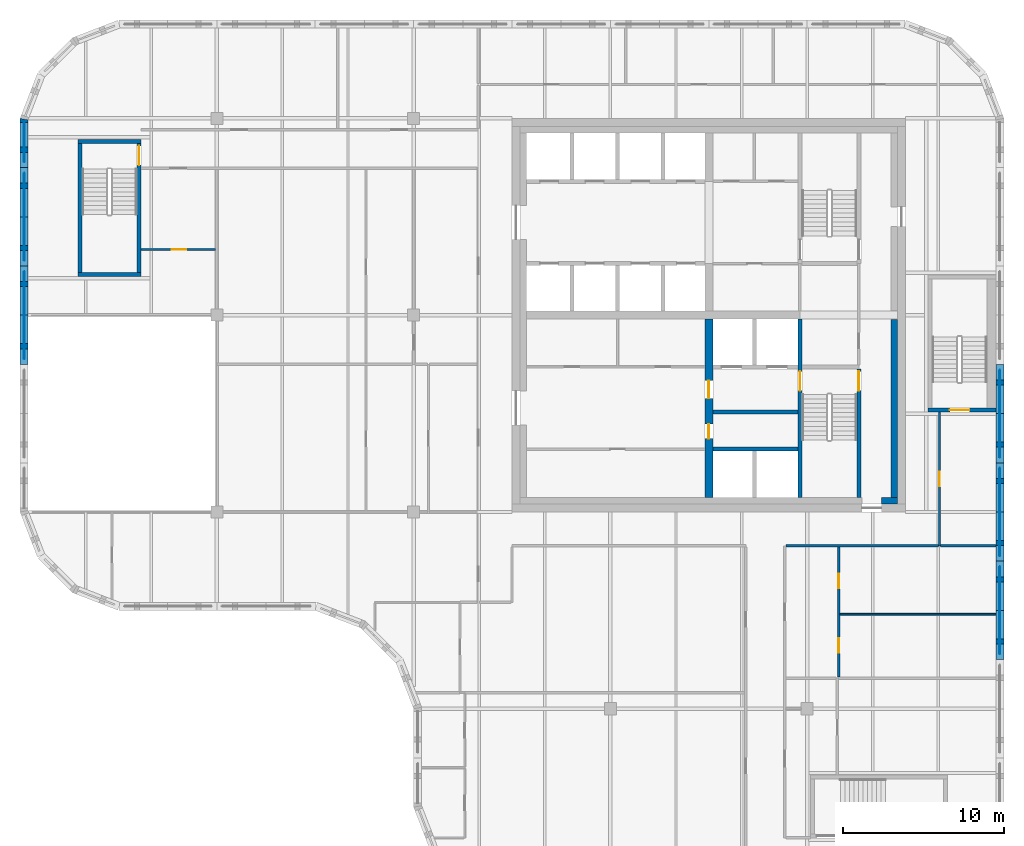
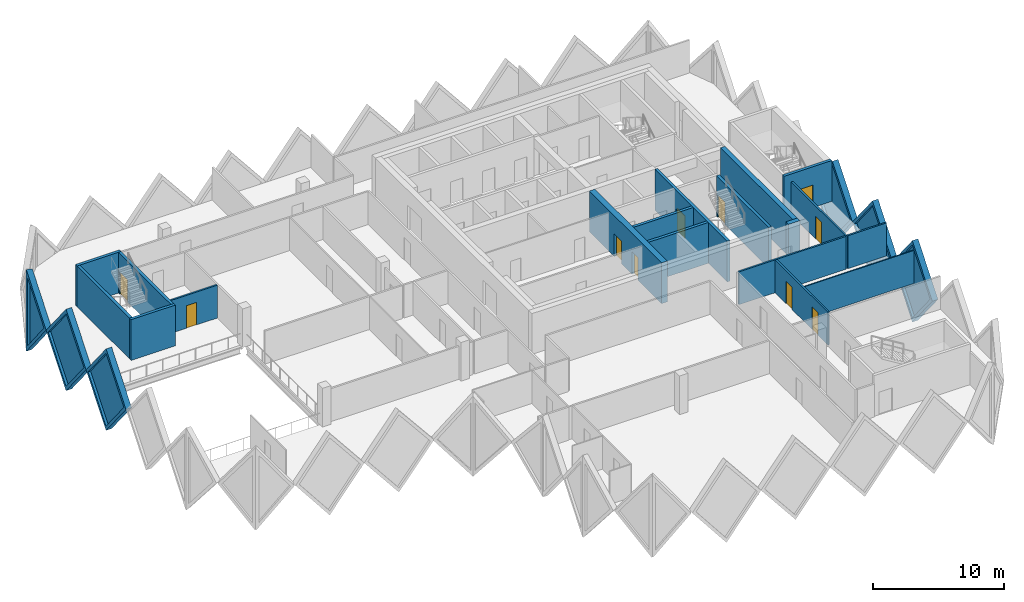
# One storey, part 6 of 11: 24 walls, 10 doors, 6 plates, 16 openings.
"""IFC4 building model written with IfcOpenShell, lengths in metres."""

from ifc_helpers import new_model, si_unit, direction, frame, frame_2d, origin, place, context, subcontext, project, spatial, polyline, rectangle, outline, extrude, faceted_brep, source, transform, mapped, material, layer, layer_set, type_object, element, fill, save


model = new_model("IFC4")

# Units and contexts
model_context = context("Model", 3, precision=1e-05, world=origin(), true_north=direction((0.0, 1.0)))
body_context = subcontext(model_context, "Body", "Model", "MODEL_VIEW")
ifc_project = project(units=[si_unit("LENGTHUNIT", "METRE"), si_unit("AREAUNIT", "SQUARE_METRE"), si_unit("VOLUMEUNIT", "CUBIC_METRE"), si_unit("PLANEANGLEUNIT", "RADIAN"), si_unit("MASSUNIT", "GRAM", prefix="KILO")], contexts=[model_context])

# Site, building, storey
site_placement = place(None, origin())
site = spatial("IfcSite", under=ifc_project, at=site_placement, CompositionType="ELEMENT")
building_placement = place(site_placement, origin())
building = spatial("IfcBuilding", under=site, at=building_placement, Name="Tessera Gate Towers", CompositionType="ELEMENT")
storey_placement = place(building_placement, frame((0.0, 0.0, 201.699951171875)))
storey = spatial("IfcBuildingStorey", under=building, at=storey_placement, Name="L50", CompositionType="ELEMENT", Elevation=201.699951171875)

# Wall, opening, door
ifc_material_1 = material(Name="Concrete C40/50", Category="concrete")
ifc_layer_1 = layer(ifc_material_1, 0.25)
ifc_layer_set_1 = layer_set([ifc_layer_1], Name="CORE ENCLOSURE WALL 250")
wall_type_1 = type_object("IfcWallType", Name="CORE ENCLOSURE WALL 250", PredefinedType="SOLIDWALL", material=ifc_layer_set_1)
wall_1_placement = place(storey_placement, frame((48.35009765625, 36.35009765625, 0.0), z_axis=(0.0, 0.0, 1.0), x_axis=(0.0, -1.0, 0.0)))
wall_1 = element("IfcWall", 1, at=wall_1_placement, inside=storey, type_object=wall_type_1, Name="L50 shaft and stair enclosure wall", PredefinedType="SOLIDWALL", context=body_context, shape_type="SweptSolid", body=[
    extrude(rectangle(XDim=11.050048828125, YDim=0.25, at=frame_2d((5.52490234375, 0.0))), origin(), (0.0, 0.0, 1.0), 3.800048828125),
])
shared_shape_1 = source(origin(), body_context, "Body", "SweptSolid", [
    extrude(rectangle(XDim=1.199951171875, YDim=2.10009765625, at=frame_2d((0.60009765625, 1.050048828125))), frame((0.0, 0.135009765625, 0.0), z_axis=(0.0, -1.0, 0.0), x_axis=(1.0, 0.0, 0.0)), (0.0, 0.0, 1.0), 0.27001953125),
])
opening_1_placement = place(wall_1_placement, frame((3.22509765625, 0.0, 0.0)))
opening_1 = element("IfcOpeningElement", 2, at=opening_1_placement, cuts=wall_1, Name="Opening SD-ST1-1", PredefinedType="OPENING", context=body_context, shape_type="MappedRepresentation", body=[
    mapped(shared_shape_1, transform((0.0, 0.0, 0.0), scale=1.0)),
])
ifc_material_2 = material(Name="Hollow steel fire door", Category="steel")
door_type_1 = type_object("IfcDoorType", Name="CORE DOOR SD 1200x2100", OperationType="NOTDEFINED", PredefinedType="DOOR", material=ifc_material_2)
shared_shape_2 = source(origin(), body_context, "Body", "SweptSolid", [
    extrude(rectangle(XDim=1.199951171875, YDim=2.10009765625, at=frame_2d((0.60009765625, 1.050048828125))), frame((0.0, 0.02490234375, 0.0), z_axis=(0.0, -1.0, 0.0), x_axis=(1.0, 0.0, 0.0)), (0.0, 0.0, 1.0), 0.050048828125),
])
door_1_placement = place(opening_1_placement, origin())
door_1 = element("IfcDoor", 3, at=door_1_placement, inside=storey, type_object=door_type_1, Name="Stair door", OperationType="SINGLE_SWING_LEFT", OverallHeight=2.10009765625, OverallWidth=1.199951171875, PredefinedType="DOOR", context=body_context, shape_type="MappedRepresentation", body=[
    mapped(shared_shape_2, transform((0.0, 0.0, 0.0), scale=1.0)),
])
fill(opening_1, door_1)

wall_2_placement = place(storey_placement, frame((52.0, 25.300048828125, 0.0), z_axis=(0.0, 0.0, 1.0), x_axis=(0.0, 1.0, 0.0)))
wall_2 = element("IfcWall", 4, at=wall_2_placement, inside=storey, type_object=wall_type_1, Name="L50 shaft and stair enclosure wall", PredefinedType="SOLIDWALL", context=body_context, shape_type="SweptSolid", body=[
    extrude(rectangle(XDim=7.974853515625, YDim=0.25, at=frame_2d((3.9873046875, 0.0))), origin(), (0.0, 0.0, 1.0), 3.800048828125),
])
opening_2_placement = place(wall_2_placement, frame((6.625, 0.0, 0.0)))
opening_2 = element("IfcOpeningElement", 5, at=opening_2_placement, cuts=wall_2, Name="Opening SD-ST1-2", PredefinedType="OPENING", context=body_context, shape_type="MappedRepresentation", body=[
    mapped(shared_shape_1, transform((0.0, 0.0, 0.0), scale=1.0)),
])
door_2_placement = place(opening_2_placement, origin())
door_2 = element("IfcDoor", 6, at=door_2_placement, inside=storey, type_object=door_type_1, Name="Stair door", OperationType="SINGLE_SWING_RIGHT", OverallHeight=2.10009765625, OverallWidth=1.199951171875, PredefinedType="DOOR", context=body_context, shape_type="MappedRepresentation", body=[
    mapped(shared_shape_2, transform((0.0, 0.0, 0.0), scale=1.0)),
])
fill(opening_2, door_2)

# Walls
for number, where, z_axis, x_axis, name in (
    (7, (42.949951171875, 28.300048828125, 0.0), (0.0, 0.0, 1.0), (1.0, 0.0, 0.0), "L50 shaft and stair enclosure wall"),
    (8, (42.949951171875, 30.60009765625, 0.0), (0.0, 0.0, 1.0), (1.0, 0.0, 0.0), "L50 shaft and stair enclosure wall"),
):
    element("IfcWall", number, at=place(storey_placement, frame(where, z_axis=z_axis, x_axis=x_axis)), inside=storey, type_object=wall_type_1, Name=name, PredefinedType="SOLIDWALL", context=body_context, shape_type="SweptSolid", body=[
        extrude(rectangle(XDim=5.275146484375, YDim=0.25, at=frame_2d((2.6376953125, 0.0))), origin(), (0.0, 0.0, 1.0), 3.800048828125),
    ])
wall_3_placement = place(storey_placement, frame((7.5, 39.125, 0.0), z_axis=(0.0, 0.0, 1.0), x_axis=(-1.0, 0.0, 0.0)))
element("IfcWall", 9, at=wall_3_placement, inside=storey, type_object=wall_type_1, Name="L50 ST3 enclosure wall", PredefinedType="SOLIDWALL", context=body_context, shape_type="SweptSolid", body=[
    extrude(rectangle(XDim=3.89990234375, YDim=0.25, at=frame_2d((1.949951171875, 0.0))), origin(), (0.0, 0.0, 1.0), 3.800048828125),
])
wall_4_placement = place(storey_placement, frame((3.72509765625, 39.25, 0.0), z_axis=(0.0, 0.0, 1.0), x_axis=(0.0, 1.0, 0.0)))
element("IfcWall", 10, at=wall_4_placement, inside=storey, type_object=wall_type_1, Name="L50 ST3 enclosure wall", PredefinedType="SOLIDWALL", context=body_context, shape_type="SweptSolid", body=[
    extrude(rectangle(XDim=8.0, YDim=0.25, at=frame_2d((4.0, 0.0))), origin(), (0.0, 0.0, 1.0), 3.800048828125),
])
wall_5_placement = place(storey_placement, frame((3.60009765625, 47.375, 0.0), z_axis=(0.0, 0.0, 1.0), x_axis=(1.0, 0.0, 0.0)))
element("IfcWall", 11, at=wall_5_placement, inside=storey, type_object=wall_type_1, Name="L50 ST3 enclosure wall", PredefinedType="SOLIDWALL", context=body_context, shape_type="SweptSolid", body=[
    extrude(rectangle(XDim=3.89990234375, YDim=0.25, at=frame_2d((1.949951171875, 0.0))), origin(), (0.0, 0.0, 1.0), 3.800048828125),
])

# Wall, opening, door
wall_6_placement = place(storey_placement, frame((7.375, 47.25, 0.0), z_axis=(0.0, 0.0, 1.0), x_axis=(0.0, -1.0, 0.0)))
wall_6 = element("IfcWall", 12, at=wall_6_placement, inside=storey, type_object=wall_type_1, Name="L50 ST3 enclosure wall", PredefinedType="SOLIDWALL", context=body_context, shape_type="SweptSolid", body=[
    extrude(rectangle(XDim=8.0, YDim=0.25, at=frame_2d((4.0, 0.0))), origin(), (0.0, 0.0, 1.0), 3.800048828125),
])
opening_3_placement = place(wall_6_placement, frame((0.14990234375, 0.0, 0.0)))
opening_3 = element("IfcOpeningElement", 13, at=opening_3_placement, cuts=wall_6, Name="Opening SD-ST3-1", PredefinedType="OPENING", context=body_context, shape_type="MappedRepresentation", body=[
    mapped(shared_shape_1, transform((0.0, 0.0, 0.0), scale=1.0)),
])
door_3_placement = place(opening_3_placement, origin())
door_3 = element("IfcDoor", 14, at=door_3_placement, inside=storey, type_object=door_type_1, Name="Stair door", OperationType="SINGLE_SWING_LEFT", OverallHeight=2.10009765625, OverallWidth=1.199951171875, PredefinedType="DOOR", context=body_context, shape_type="MappedRepresentation", body=[
    mapped(shared_shape_2, transform((0.0, 0.0, 0.0), scale=1.0)),
])
fill(opening_3, door_3)

wall_7_placement = place(storey_placement, frame((60.5, 30.72509765625, 0.0), z_axis=(0.0, 0.0, 1.0), x_axis=(-1.0, 0.0, 0.0)))
wall_7 = element("IfcWall", 15, at=wall_7_placement, inside=storey, type_object=wall_type_1, Name="L50 ST5 enclosure wall", PredefinedType="SOLIDWALL", context=body_context, shape_type="SweptSolid", body=[
    extrude(rectangle(XDim=4.199951171875, YDim=0.25, at=frame_2d((2.10009765625, 0.0))), origin(), (0.0, 0.0, 1.0), 3.800048828125),
])
opening_4_placement = place(wall_7_placement, frame((1.64990234375, 0.0, 0.0)))
opening_4 = element("IfcOpeningElement", 16, at=opening_4_placement, cuts=wall_7, Name="Opening SD-ST5-1", PredefinedType="OPENING", context=body_context, shape_type="MappedRepresentation", body=[
    mapped(shared_shape_1, transform((0.0, 0.0, 0.0), scale=1.0)),
])
door_4_placement = place(opening_4_placement, origin())
door_4 = element("IfcDoor", 17, at=door_4_placement, inside=storey, type_object=door_type_1, Name="Stair door", OperationType="SINGLE_SWING_RIGHT", OverallHeight=2.10009765625, OverallWidth=1.199951171875, PredefinedType="DOOR", context=body_context, shape_type="MappedRepresentation", body=[
    mapped(shared_shape_2, transform((0.0, 0.0, 0.0), scale=1.0)),
])
fill(opening_4, door_4)

# Wall, openings, doors
ifc_material_3 = material(Name="Concrete C50/60", Category="concrete")
ifc_layer_2 = layer(ifc_material_3, 0.5)
ifc_layer_set_2 = layer_set([ifc_layer_2], Name="CORE SPINE WALL 500 C50/60")
wall_type_2 = type_object("IfcWallType", Name="CORE SPINE WALL 500 C50/60", PredefinedType="SHEAR", material=ifc_layer_set_2)
wall_8_placement = place(storey_placement, frame((42.699951171875, 36.35009765625, 0.0), z_axis=(0.0, 0.0, 1.0), x_axis=(0.0, -1.0, 0.0)))
wall_8 = element("IfcWall", 18, at=wall_8_placement, inside=storey, type_object=wall_type_2, Name="Core wall spine L50", PredefinedType="SHEAR", context=body_context, shape_type="SweptSolid", body=[
    extrude(rectangle(XDim=11.050048828125, YDim=0.5, at=frame_2d((5.52490234375, 0.0))), origin(), (0.0, 0.0, 1.0), 3.800048828125),
])
shared_shape_3 = source(origin(), body_context, "Body", "SweptSolid", [
    extrude(rectangle(XDim=0.89990234375, YDim=2.10009765625, at=frame_2d((0.449951171875, 1.050048828125))), frame((0.0, 0.260009765625, 0.0), z_axis=(0.0, -1.0, 0.0), x_axis=(1.0, 0.0, 0.0)), (0.0, 0.0, 1.0), 0.52001953125),
])
opening_5_placement = place(wall_8_placement, frame((6.5, 0.0, 0.0)))
opening_5 = element("IfcOpeningElement", 19, at=opening_5_placement, cuts=wall_8, Name="Opening RD-T1-31-05", PredefinedType="OPENING", context=body_context, shape_type="MappedRepresentation", body=[
    mapped(shared_shape_3, transform((0.0, 0.0, 0.0), scale=1.0)),
])
shared_shape_4 = source(origin(), body_context, "Body", "SweptSolid", [
    extrude(rectangle(XDim=1.10009765625, YDim=2.10009765625, at=frame_2d((0.550048828125, 1.050048828125))), frame((0.0, 0.260009765625, 0.0), z_axis=(0.0, -1.0, 0.0), x_axis=(1.0, 0.0, 0.0)), (0.0, 0.0, 1.0), 0.52001953125),
])
opening_6_placement = place(wall_8_placement, frame((3.800048828125, 0.0, 0.0)))
opening_6 = element("IfcOpeningElement", 20, at=opening_6_placement, cuts=wall_8, Name="Opening FD-T1-31-06", PredefinedType="OPENING", context=body_context, shape_type="MappedRepresentation", body=[
    mapped(shared_shape_4, transform((0.0, 0.0, 0.0), scale=1.0)),
])
ifc_material_4 = material(Name="Hollow steel fire door", Category="steel")
door_type_2 = type_object("IfcDoorType", Name="CORE DOOR RD 900x2100", OperationType="NOTDEFINED", PredefinedType="DOOR", material=ifc_material_4)
shared_shape_5 = source(origin(), body_context, "Body", "SweptSolid", [
    extrude(rectangle(XDim=0.89990234375, YDim=2.10009765625, at=frame_2d((0.449951171875, 1.050048828125))), frame((0.0, 0.02490234375, 0.0), z_axis=(0.0, -1.0, 0.0), x_axis=(1.0, 0.0, 0.0)), (0.0, 0.0, 1.0), 0.050048828125),
])
door_5_placement = place(opening_5_placement, origin())
door_5 = element("IfcDoor", 21, at=door_5_placement, inside=storey, type_object=door_type_2, Name="Core room door", OperationType="SINGLE_SWING_RIGHT", OverallHeight=2.10009765625, OverallWidth=0.89990234375, PredefinedType="DOOR", context=body_context, shape_type="MappedRepresentation", body=[
    mapped(shared_shape_5, transform((0.0, 0.0, 0.0), scale=1.0)),
])
fill(opening_5, door_5)
ifc_material_5 = material(Name="Hollow steel fire door", Category="steel")
door_type_3 = type_object("IfcDoorType", Name="CORE DOOR FD 1100x2100", OperationType="NOTDEFINED", PredefinedType="DOOR", material=ifc_material_5)
shared_shape_6 = source(origin(), body_context, "Body", "SweptSolid", [
    extrude(rectangle(XDim=1.10009765625, YDim=2.10009765625, at=frame_2d((0.550048828125, 1.050048828125))), frame((0.0, 0.02490234375, 0.0), z_axis=(0.0, -1.0, 0.0), x_axis=(1.0, 0.0, 0.0)), (0.0, 0.0, 1.0), 0.050048828125),
])
door_6_placement = place(opening_6_placement, origin())
door_6 = element("IfcDoor", 22, at=door_6_placement, inside=storey, type_object=door_type_3, Name="Fire-fighting lobby door", OperationType="SINGLE_SWING_LEFT", OverallHeight=2.10009765625, OverallWidth=1.10009765625, PredefinedType="DOOR", context=body_context, shape_type="MappedRepresentation", body=[
    mapped(shared_shape_6, transform((0.0, 0.0, 0.0), scale=1.0)),
])
fill(opening_6, door_6)

# Walls
ifc_material_6 = material(Name="Concrete C50/60", Category="concrete")
ifc_layer_3 = layer(ifc_material_6, 0.39990234375)
ifc_layer_set_3 = layer_set([ifc_layer_3], Name="CORE WALL THICKENING 400")
wall_type_3 = type_object("IfcWallType", Name="CORE WALL THICKENING 400", PredefinedType="SOLIDWALL", material=ifc_layer_set_3)
wall_9_placement = place(storey_placement, frame((53.39990234375, 25.10009765625, 0.0), z_axis=(0.0, 0.0, 1.0), x_axis=(1.0, 0.0, 0.0)))
element("IfcWall", 23, at=wall_9_placement, inside=storey, type_object=wall_type_3, Name="Core wall thickening S L50", PredefinedType="SOLIDWALL", context=body_context, shape_type="SweptSolid", body=[
    extrude(rectangle(XDim=1.0, YDim=0.39990234375, at=frame_2d((0.5, 0.0))), origin(), (0.0, 0.0, 1.0), 3.800048828125),
])
wall_10_placement = place(storey_placement, frame((54.199951171875, 25.300048828125, 0.0), z_axis=(0.0, 0.0, 1.0), x_axis=(0.0, 1.0, 0.0)))
element("IfcWall", 24, at=wall_10_placement, inside=storey, type_object=wall_type_3, Name="Core wall thickening E L50", PredefinedType="SOLIDWALL", context=body_context, shape_type="SweptSolid", body=[
    extrude(rectangle(XDim=11.02001953125, YDim=0.39990234375, at=frame_2d((5.510009765625, 0.0))), origin(), (0.0, 0.0, 1.0), 3.800048828125),
])
ifc_material_7 = material(Name="Gypsum board on steel studs, mineral wool", Category="steel")
ifc_layer_4 = layer(ifc_material_7, 0.14990234375)
ifc_layer_set_4 = layer_set([ifc_layer_4], Name="CORRIDOR WALL 150")
wall_type_4 = type_object("IfcWallType", Name="CORRIDOR WALL 150", PredefinedType="PARTITIONING", material=ifc_layer_set_4)
wall_11_placement = place(storey_placement, frame((47.47607421875, 22.300048828125, 0.0), z_axis=(0.0, 0.0, 1.0), x_axis=(1.0, 0.0, 0.0)))
element("IfcWall", 25, at=wall_11_placement, inside=storey, type_object=wall_type_4, Name="T1-L50-PW-027", PredefinedType="PARTITIONING", context=body_context, shape_type="SweptSolid", body=[
    extrude(rectangle(XDim=9.447998046875, YDim=0.14990234375, at=frame_2d((4.72412109375, 0.0))), origin(), (0.0, 0.0, 1.0), 3.067138671875),
])

# Wall, opening, door
wall_12_placement = place(storey_placement, frame((57.0, 30.60009765625, 0.0), z_axis=(0.0, 0.0, 1.0), x_axis=(0.0, -1.0, 0.0)))
wall_12 = element("IfcWall", 26, at=wall_12_placement, inside=storey, type_object=wall_type_4, Name="T1-L50-PW-028", PredefinedType="PARTITIONING", context=body_context, shape_type="SweptSolid", body=[
    extrude(rectangle(XDim=8.300048828125, YDim=0.14990234375, at=frame_2d((4.14990234375, 0.0))), origin(), (0.0, 0.0, 1.0), 3.067138671875),
])
shared_shape_7 = source(origin(), body_context, "Body", "SweptSolid", [
    extrude(rectangle(XDim=0.89990234375, YDim=2.10009765625, at=frame_2d((0.449951171875, 1.050048828125))), frame((0.0, 0.0849609375, 0.0), z_axis=(0.0, -1.0, 0.0), x_axis=(1.0, 0.0, 0.0)), (0.0, 0.0, 1.0), 0.169921875),
])
opening_7_placement = place(wall_12_placement, frame((3.699951171875, 0.0, 0.0)))
opening_7 = element("IfcOpeningElement", 27, at=opening_7_placement, cuts=wall_12, Name="Opening D890FD60-A18-02", PredefinedType="OPENING", context=body_context, shape_type="MappedRepresentation", body=[
    mapped(shared_shape_7, transform((0.0, 0.0, 0.0), scale=1.0)),
])
ifc_material_8 = material(Name="Timber door leaf in steel frame", Category="steel")
door_type_4 = type_object("IfcDoorType", Name="CORRIDOR DOOR 900 FD60", OperationType="NOTDEFINED", PredefinedType="DOOR", material=ifc_material_8)
door_7_placement = place(opening_7_placement, origin())
door_7 = element("IfcDoor", 28, at=door_7_placement, inside=storey, type_object=door_type_4, Name="T1-L50-PD-012", OperationType="SINGLE_SWING_RIGHT", OverallHeight=2.10009765625, OverallWidth=0.89990234375, PredefinedType="DOOR", context=body_context, shape_type="MappedRepresentation", body=[
    mapped(shared_shape_5, transform((0.0, 0.0, 0.0), scale=1.0)),
])
fill(opening_7, door_7)

# Wall
ifc_material_9 = material(Name="Gypsum board on steel studs", Category="steel")
ifc_layer_5 = layer(ifc_material_9, 0.10009765625)
ifc_layer_set_5 = layer_set([ifc_layer_5], Name="PARTITION 100")
wall_type_5 = type_object("IfcWallType", Name="PARTITION 100", PredefinedType="PARTITIONING", material=ifc_layer_set_5)
wall_13_placement = place(storey_placement, frame((50.825927734375, 18.06103515625, 0.0), z_axis=(0.0, 0.0, 1.0), x_axis=(1.0, 0.0, 0.0)))
element("IfcWall", 29, at=wall_13_placement, inside=storey, type_object=wall_type_5, Name="T1-L50-PW-019", PredefinedType="PARTITIONING", context=body_context, shape_type="SweptSolid", body=[
    extrude(rectangle(XDim=9.674072265625, YDim=0.10009765625, at=frame_2d((4.8369140625, 0.0))), origin(), (0.0, 0.0, 1.0), 3.067138671875),
])

# Wall, openings, doors
ifc_material_10 = material(Name="Gypsum board on steel studs, mineral wool", Category="steel")
ifc_layer_6 = layer(ifc_material_10, 0.14990234375)
ifc_layer_set_6 = layer_set([ifc_layer_6], Name="TENANCY WALL 150")
wall_type_6 = type_object("IfcWallType", Name="TENANCY WALL 150", PredefinedType="PARTITIONING", material=ifc_layer_set_6)
wall_14_placement = place(storey_placement, frame((50.75, 22.22412109375, 0.0), z_axis=(0.0, 0.0, 1.0), x_axis=(0.0, -1.0, 0.0)))
wall_14 = element("IfcWall", 30, at=wall_14_placement, inside=storey, type_object=wall_type_6, Name="T1-L50-PW-017", PredefinedType="PARTITIONING", context=body_context, shape_type="SweptSolid", body=[
    extrude(rectangle(XDim=8.048095703125, YDim=0.14990234375, at=frame_2d((4.02392578125, 0.0))), origin(), (0.0, 0.0, 1.0), 3.067138671875),
])
opening_8_placement = place(wall_14_placement, frame((5.64794921875, 0.0, 0.0)))
opening_8 = element("IfcOpeningElement", 31, at=opening_8_placement, cuts=wall_14, Name="Opening D190-A18-01", PredefinedType="OPENING", context=body_context, shape_type="MappedRepresentation", body=[
    mapped(shared_shape_7, transform((0.0, 0.0, 0.0), scale=1.0)),
])
opening_9_placement = place(wall_14_placement, frame((1.66259765625, 0.0, 0.0)))
opening_9 = element("IfcOpeningElement", 32, at=opening_9_placement, cuts=wall_14, Name="Opening D190-A18-02", PredefinedType="OPENING", context=body_context, shape_type="MappedRepresentation", body=[
    mapped(shared_shape_7, transform((0.0, 0.0, 0.0), scale=1.0)),
])
ifc_material_11 = material(Name="Timber door leaf in steel frame", Category="steel")
door_type_5 = type_object("IfcDoorType", Name="INTERNAL DOOR 900 NOT RATED", OperationType="NOTDEFINED", PredefinedType="DOOR", material=ifc_material_11)
door_8_placement = place(opening_8_placement, origin())
door_8 = element("IfcDoor", 33, at=door_8_placement, inside=storey, type_object=door_type_5, Name="T1-L50-PD-002", OperationType="SINGLE_SWING_RIGHT", OverallHeight=2.10009765625, OverallWidth=0.89990234375, PredefinedType="DOOR", context=body_context, shape_type="MappedRepresentation", body=[
    mapped(shared_shape_5, transform((0.0, 0.0, 0.0), scale=1.0)),
])
fill(opening_8, door_8)
door_9_placement = place(opening_9_placement, origin())
door_9 = element("IfcDoor", 34, at=door_9_placement, inside=storey, type_object=door_type_5, Name="T1-L50-PD-003", OperationType="SINGLE_SWING_RIGHT", OverallHeight=2.10009765625, OverallWidth=0.89990234375, PredefinedType="DOOR", context=body_context, shape_type="MappedRepresentation", body=[
    mapped(shared_shape_5, transform((0.0, 0.0, 0.0), scale=1.0)),
])
fill(opening_9, door_9)

# Wall
wall_15_placement = place(storey_placement, frame((57.075927734375, 22.300048828125, 0.0), z_axis=(0.0, 0.0, 1.0), x_axis=(1.0, 0.0, 0.0)))
element("IfcWall", 35, at=wall_15_placement, inside=storey, type_object=wall_type_6, Name="T1-L50-PW-029", PredefinedType="PARTITIONING", context=body_context, shape_type="SweptSolid", body=[
    extrude(rectangle(XDim=3.424072265625, YDim=0.14990234375, at=frame_2d((1.7119140625, 0.0))), origin(), (0.0, 0.0, 1.0), 3.067138671875),
])

# Wall, opening, door
wall_16_placement = place(storey_placement, frame((12.1240234375, 40.675048828125, 0.0), z_axis=(0.0, 0.0, 1.0), x_axis=(-1.0, 0.0, 0.0)))
wall_16 = element("IfcWall", 36, at=wall_16_placement, inside=storey, type_object=wall_type_6, Name="T1-L50-PW-042", PredefinedType="PARTITIONING", context=body_context, shape_type="SweptSolid", body=[
    extrude(rectangle(XDim=4.6240234375, YDim=0.14990234375, at=frame_2d((2.31201171875, 0.0))), origin(), (0.0, 0.0, 1.0), 3.067138671875),
])
opening_10_placement = place(wall_16_placement, frame((1.823974609375, 0.0, 0.0)))
opening_10 = element("IfcOpeningElement", 37, at=opening_10_placement, cuts=wall_16, Name="Opening D190-A18-03", PredefinedType="OPENING", context=body_context, shape_type="MappedRepresentation", body=[
    mapped(shared_shape_7, transform((0.0, 0.0, 0.0), scale=1.0)),
])
door_10_placement = place(opening_10_placement, origin())
door_10 = element("IfcDoor", 38, at=door_10_placement, inside=storey, type_object=door_type_5, Name="T1-L50-PD-005", OperationType="SINGLE_SWING_RIGHT", OverallHeight=2.10009765625, OverallWidth=0.89990234375, PredefinedType="DOOR", context=body_context, shape_type="MappedRepresentation", body=[
    mapped(shared_shape_5, transform((0.0, 0.0, 0.0), scale=1.0)),
])
fill(opening_10, door_10)

# Wall, opening, plate
ifc_material_12 = material(Name="Precast concrete C60/75 white", Category="concrete")
ifc_layer_7 = layer(ifc_material_12, 0.5)
ifc_layer_set_7 = layer_set([ifc_layer_7], Name="TS1 tessera")
wall_type_7 = type_object("IfcWallType", Name="TS1 tessera", PredefinedType="SOLIDWALL", material=ifc_layer_set_7)
shared_shape_8 = source(origin(), body_context, "Body", "Brep", [
    faceted_brep([(3.050048828125, -0.25, 0.0), (6.099853515625, -0.25, 3.7998046875), (6.099853515625, -0.25, 3.80029296875), (3.050048828125, -0.25, 7.60009765625), (0.0, -0.25, 3.800048828125), (0.0, 0.25, 3.800048828125), (3.050048828125, 0.25, 7.60009765625), (6.099853515625, 0.25, 3.80029296875), (6.099853515625, 0.25, 3.7998046875), (3.050048828125, 0.25, 0.0)], [[[0, 1, 2, 3, 4]], [[5, 6, 7, 8, 9]], [[9, 8, 1, 0]], [[7, 6, 3, 2]], [[6, 5, 4, 3]], [[5, 9, 0, 4]], [[1, 8, 7, 2]]]),
])
wall_17_placement = place(storey_placement, frame((60.75, 21.35009765625, -3.800048828125), z_axis=(0.0, 0.0, 1.0), x_axis=(0.0, 1.0, 0.0)))
wall_17 = element("IfcWall", 39, at=wall_17_placement, inside=storey, type_object=wall_type_7, Name="Precast tessera T1 TS1-0857", PredefinedType="SOLIDWALL", context=body_context, shape_type="MappedRepresentation", body=[
    mapped(shared_shape_8, transform((0.0, 0.0, 0.0), scale=1.0)),
])
shared_shape_9 = source(origin(), body_context, "Body", "SweptSolid", [
    extrude(outline(polyline([(3.050048828125, 0.3994140625), (5.779541015625, 3.800048828125), (3.050048828125, 7.20068359375), (0.320556640625, 3.800048828125), (3.050048828125, 0.3994140625)])), frame((0.0, 0.260009765625, 0.0), z_axis=(0.0, -1.0, 0.0), x_axis=(1.0, 0.0, 0.0)), (0.0, 0.0, 1.0), 0.52001953125),
])
opening_11_placement = place(wall_17_placement, origin())
opening_11 = element("IfcOpeningElement", 40, at=opening_11_placement, cuts=wall_17, Name="Opening T1-PL2-1749", PredefinedType="OPENING", context=body_context, shape_type="MappedRepresentation", body=[
    mapped(shared_shape_9, transform((0.0, 0.0, 0.0), scale=1.0)),
])
ifc_material_13 = material(Name="Low-e laminated glass", Category="glass")
ifc_layer_8 = layer(ifc_material_13, 0.06005859375)
ifc_layer_set_8 = layer_set([ifc_layer_8], Name="PL2 rhombic pane")
plate_type = type_object("IfcPlateType", Name="PL2 rhombic pane", PredefinedType="SHEET", material=ifc_layer_set_8)
shared_shape_10 = source(origin(), body_context, "Body", "SweptSolid", [
    extrude(outline(polyline([(3.050048828125, 0.3994140625), (5.779541015625, 3.800048828125), (3.050048828125, 7.20068359375), (0.320556640625, 3.800048828125), (3.050048828125, 0.3994140625)])), frame((0.0, 0.030029296875, 0.0), z_axis=(0.0, -1.0, 0.0), x_axis=(1.0, 0.0, 0.0)), (0.0, 0.0, 1.0), 0.06005859375),
])
plate_1_placement = place(opening_11_placement, origin())
plate_1 = element("IfcPlate", 41, at=plate_1_placement, inside=storey, type_object=plate_type, Name="Glass pane T1 PL2-1749", PredefinedType="SHEET", context=body_context, shape_type="MappedRepresentation", body=[
    mapped(shared_shape_10, transform((0.0, 0.0, 0.0), scale=1.0)),
])
fill(opening_11, plate_1)

wall_18_placement = place(storey_placement, frame((0.25, 39.64990234375, -3.800048828125), z_axis=(0.0, 0.0, 1.0), x_axis=(0.0, -1.0, 0.0)))
wall_18 = element("IfcWall", 42, at=wall_18_placement, inside=storey, type_object=wall_type_7, Name="Precast tessera T1 TS1-0870", PredefinedType="SOLIDWALL", context=body_context, shape_type="MappedRepresentation", body=[
    mapped(shared_shape_8, transform((0.0, 0.0, 0.0), scale=1.0)),
])
opening_12_placement = place(wall_18_placement, origin())
opening_12 = element("IfcOpeningElement", 43, at=opening_12_placement, cuts=wall_18, Name="Opening T1-PL2-1770", PredefinedType="OPENING", context=body_context, shape_type="MappedRepresentation", body=[
    mapped(shared_shape_9, transform((0.0, 0.0, 0.0), scale=1.0)),
])
plate_2_placement = place(opening_12_placement, origin())
plate_2 = element("IfcPlate", 44, at=plate_2_placement, inside=storey, type_object=plate_type, Name="Glass pane T1 PL2-1770", PredefinedType="SHEET", context=body_context, shape_type="MappedRepresentation", body=[
    mapped(shared_shape_10, transform((0.0, 0.0, 0.0), scale=1.0)),
])
fill(opening_12, plate_2)

shared_shape_11 = source(origin(), body_context, "Body", "SweptSolid", [
    extrude(outline(polyline([(3.050048828125, 0.0), (6.10009765625, 3.800048828125), (3.050048828125, 7.60009765625), (0.0, 3.800048828125), (3.050048828125, 0.0)])), frame((0.0, 0.25, 0.0), z_axis=(0.0, -1.0, 0.0), x_axis=(1.0, 0.0, 0.0)), (0.0, 0.0, 1.0), 0.5),
])
wall_19_placement = place(storey_placement, frame((60.75, 15.25, -3.800048828125), z_axis=(0.0, 0.0, 1.0), x_axis=(0.0, 1.0, 0.0)))
wall_19 = element("IfcWall", 45, at=wall_19_placement, inside=storey, type_object=wall_type_7, Name="Precast tessera T1 TS1-0856", PredefinedType="SOLIDWALL", context=body_context, shape_type="MappedRepresentation", body=[
    mapped(shared_shape_11, transform((0.0, 0.0, 0.0), scale=1.0)),
])
opening_13_placement = place(wall_19_placement, origin())
opening_13 = element("IfcOpeningElement", 46, at=opening_13_placement, cuts=wall_19, Name="Opening T1-PL2-1748", PredefinedType="OPENING", context=body_context, shape_type="MappedRepresentation", body=[
    mapped(shared_shape_9, transform((0.0, 0.0, 0.0), scale=1.0)),
])
plate_3_placement = place(opening_13_placement, origin())
plate_3 = element("IfcPlate", 47, at=plate_3_placement, inside=storey, type_object=plate_type, Name="Glass pane T1 PL2-1748", PredefinedType="SHEET", context=body_context, shape_type="MappedRepresentation", body=[
    mapped(shared_shape_10, transform((0.0, 0.0, 0.0), scale=1.0)),
])
fill(opening_13, plate_3)

wall_20_placement = place(storey_placement, frame((60.75, 27.449951171875, -3.800048828125), z_axis=(0.0, 0.0, 1.0), x_axis=(0.0, 1.0, 0.0)))
wall_20 = element("IfcWall", 48, at=wall_20_placement, inside=storey, type_object=wall_type_7, Name="Precast tessera T1 TS1-0858", PredefinedType="SOLIDWALL", context=body_context, shape_type="MappedRepresentation", body=[
    mapped(shared_shape_11, transform((0.0, 0.0, 0.0), scale=1.0)),
])
opening_14_placement = place(wall_20_placement, origin())
opening_14 = element("IfcOpeningElement", 49, at=opening_14_placement, cuts=wall_20, Name="Opening T1-PL2-1750", PredefinedType="OPENING", context=body_context, shape_type="MappedRepresentation", body=[
    mapped(shared_shape_9, transform((0.0, 0.0, 0.0), scale=1.0)),
])
plate_4_placement = place(opening_14_placement, origin())
plate_4 = element("IfcPlate", 50, at=plate_4_placement, inside=storey, type_object=plate_type, Name="Glass pane T1 PL2-1750", PredefinedType="SHEET", context=body_context, shape_type="MappedRepresentation", body=[
    mapped(shared_shape_10, transform((0.0, 0.0, 0.0), scale=1.0)),
])
fill(opening_14, plate_4)

wall_21_placement = place(storey_placement, frame((0.25, 45.75, -3.800048828125), z_axis=(0.0, 0.0, 1.0), x_axis=(0.0, -1.0, 0.0)))
wall_21 = element("IfcWall", 51, at=wall_21_placement, inside=storey, type_object=wall_type_7, Name="Precast tessera T1 TS1-0869", PredefinedType="SOLIDWALL", context=body_context, shape_type="MappedRepresentation", body=[
    mapped(shared_shape_11, transform((0.0, 0.0, 0.0), scale=1.0)),
])
opening_15_placement = place(wall_21_placement, origin())
opening_15 = element("IfcOpeningElement", 52, at=opening_15_placement, cuts=wall_21, Name="Opening T1-PL2-1769", PredefinedType="OPENING", context=body_context, shape_type="MappedRepresentation", body=[
    mapped(shared_shape_9, transform((0.0, 0.0, 0.0), scale=1.0)),
])
plate_5_placement = place(opening_15_placement, origin())
plate_5 = element("IfcPlate", 53, at=plate_5_placement, inside=storey, type_object=plate_type, Name="Glass pane T1 PL2-1769", PredefinedType="SHEET", context=body_context, shape_type="MappedRepresentation", body=[
    mapped(shared_shape_10, transform((0.0, 0.0, 0.0), scale=1.0)),
])
fill(opening_15, plate_5)

ifc_material_14 = material(Name="Precast concrete C60/75 white", Category="concrete")
ifc_layer_9 = layer(ifc_material_14, 0.5)
ifc_layer_set_9 = layer_set([ifc_layer_9], Name="TS3 corner tessera")
wall_type_8 = type_object("IfcWallType", Name="TS3 corner tessera", PredefinedType="SOLIDWALL", material=ifc_layer_set_9)
shared_shape_12 = source(origin(), body_context, "Body", "Brep", [
    faceted_brep([(0.046630859375, -0.25, 0.0), (3.050048828125, -0.25, 3.800048828125), (0.046630859375, -0.25, 7.60009765625), (0.0, -0.25, 7.5400390625), (0.0, -0.25, 0.06005859375), (0.09326171875, 0.25, 7.541259765625), (3.050048828125, 0.25, 3.800048828125), (0.09326171875, 0.25, 0.058837890625), (0.046630859375, 0.0, 0.0), (0.046630859375, 0.0, 7.60009765625)], [[[0, 1, 2, 3, 4]], [[5, 6, 7]], [[7, 6, 1, 0, 8]], [[6, 5, 9, 2, 1]], [[3, 2, 9]], [[8, 0, 4]], [[7, 8, 4, 3, 9, 5]]]),
])
wall_22_placement = place(storey_placement, frame((0.25, 48.800048828125, -3.800048828125), z_axis=(0.0, 0.0, 1.0), x_axis=(0.0, -1.0, 0.0)))
wall_22 = element("IfcWall", 54, at=wall_22_placement, inside=storey, type_object=wall_type_8, Name="Precast corner tessera T1 TS3-1164", PredefinedType="SOLIDWALL", context=body_context, shape_type="MappedRepresentation", body=[
    mapped(shared_shape_12, transform((0.0, 0.0, 0.0), scale=1.0)),
])
shared_shape_13 = source(origin(), body_context, "Body", "SweptSolid", [
    extrude(outline(polyline([(0.24658203125, 0.65625), (2.7314453125, 3.800048828125), (0.24658203125, 6.94384765625), (0.24658203125, 0.65625)])), frame((0.0, 0.260009765625, 0.0), z_axis=(0.0, -1.0, 0.0), x_axis=(1.0, 0.0, 0.0)), (0.0, 0.0, 1.0), 0.52001953125),
])
opening_16_placement = place(wall_22_placement, origin())
opening_16 = element("IfcOpeningElement", 55, at=opening_16_placement, cuts=wall_22, Name="Opening T1-PL2-1768", PredefinedType="OPENING", context=body_context, shape_type="MappedRepresentation", body=[
    mapped(shared_shape_13, transform((0.0, 0.0, 0.0), scale=1.0)),
])
shared_shape_14 = source(origin(), body_context, "Body", "SweptSolid", [
    extrude(outline(polyline([(0.24658203125, 0.65625), (2.7314453125, 3.800048828125), (0.24658203125, 6.94384765625), (0.24658203125, 0.65625)])), frame((0.0, 0.030029296875, 0.0), z_axis=(0.0, -1.0, 0.0), x_axis=(1.0, 0.0, 0.0)), (0.0, 0.0, 1.0), 0.06005859375),
])
plate_6_placement = place(opening_16_placement, origin())
plate_6 = element("IfcPlate", 56, at=plate_6_placement, inside=storey, type_object=plate_type, Name="Glass pane T1 PL2-1768", PredefinedType="SHEET", context=body_context, shape_type="MappedRepresentation", body=[
    mapped(shared_shape_14, transform((0.0, 0.0, 0.0), scale=1.0)),
])
fill(opening_16, plate_6)

save(model, "model.ifc")
